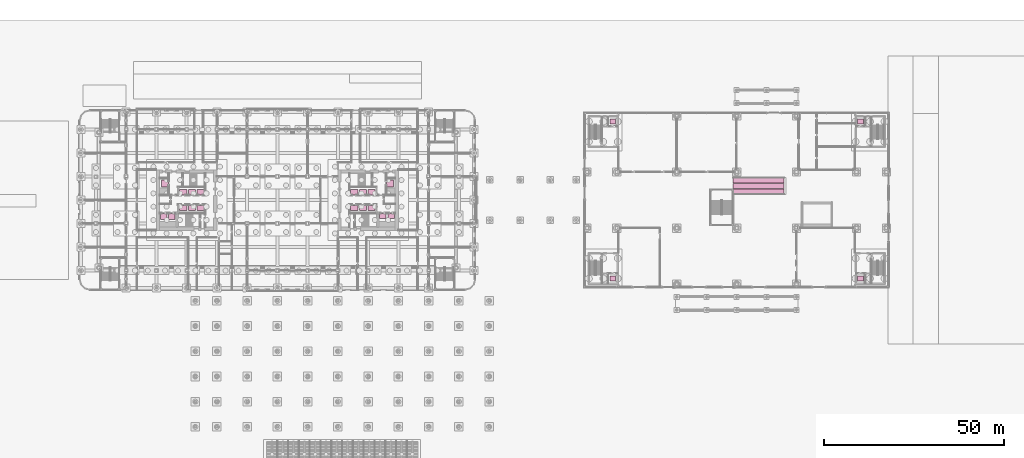
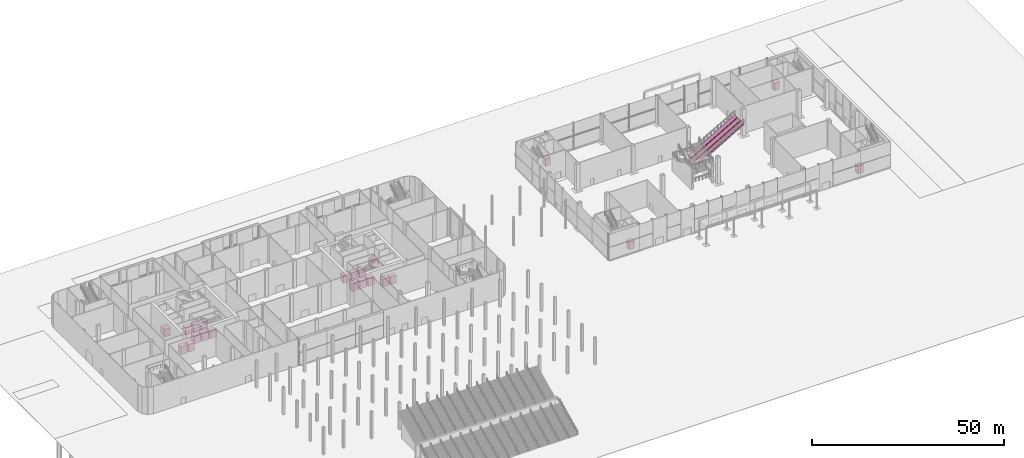
# One storey, part 113 of 113: 25 transport elements.
"""IFC4 building model written with IfcOpenShell, lengths in metres."""

from ifc_helpers import new_model, si_unit, direction, frame, origin, origin_2d, place, context, subcontext, project, spatial, polyline, rectangle, outline, extrude, material, type_object, element, save


model = new_model("IFC4")

# Units and contexts
model_context = context("Model", 3, precision=1e-05, world=origin(), true_north=direction((0.0, 1.0)))
body_context = subcontext(model_context, "Body", "Model", "MODEL_VIEW")
ifc_project = project(units=[si_unit("LENGTHUNIT", "METRE"), si_unit("AREAUNIT", "SQUARE_METRE"), si_unit("VOLUMEUNIT", "CUBIC_METRE"), si_unit("PLANEANGLEUNIT", "RADIAN"), si_unit("MASSUNIT", "GRAM", prefix="KILO")], contexts=[model_context])

# Site, building, storey
site_placement = place(None, origin())
site = spatial("IfcSite", under=ifc_project, at=site_placement, CompositionType="ELEMENT")
building_placement = place(site_placement, origin())
building = spatial("IfcBuilding", under=site, at=building_placement, Name="Hakoniwa Tower and Hamabe Station Hall", CompositionType="ELEMENT")
storey_placement = place(building_placement, origin())
storey = spatial("IfcBuildingStorey", under=building, at=storey_placement, Name="L01", CompositionType="ELEMENT", Elevation=0.0)

# Transport elements
ifc_material_1 = material(Name="Stainless steel and glass", Category="steel")
transport_element_type_1 = type_object("IfcTransportElementType", Name="ESCALATOR 1000 30DEG", PredefinedType="ESCALATOR", material=ifc_material_1)
transport_element_1_placement = place(storey_placement, frame((126.550048828125, 1.60009765625, 0.5), z_axis=(-0.500001950167, 0.0, 0.866024277852), x_axis=(0.866024277852, 0.0, 0.500001950167)))
element("IfcTransportElement", 1, at=transport_element_1_placement, inside=storey, type_object=transport_element_type_1, Name="Escalator ESC-A1 L01-L02 up", PredefinedType="ESCALATOR", context=body_context, shape_type="SweptSolid", body=[
    extrude(outline(polyline([(0.0, 0.0), (16.30706530324224, 0.0), (16.30706530324224, 1.39990234375), (0.0, 1.39990234375), (0.0, 0.0)])), origin(), (0.0, 0.0, -1.0), 0.5),
])
transport_element_2_placement = place(storey_placement, frame((126.550048828125, 3.199951171875, 0.5), z_axis=(-0.500001950167, 0.0, 0.866024277852), x_axis=(0.866024277852, 0.0, 0.500001950167)))
element("IfcTransportElement", 2, at=transport_element_2_placement, inside=storey, type_object=transport_element_type_1, Name="Escalator ESC-A2 L01-L02 down", PredefinedType="ESCALATOR", context=body_context, shape_type="SweptSolid", body=[
    extrude(outline(polyline([(0.0, 0.0), (16.30706530324224, 0.0), (16.30706530324224, 1.400146484375), (0.0, 1.400146484375), (0.0, 0.0)])), origin(), (0.0, 0.0, -1.0), 0.5),
])
transport_element_3_placement = place(storey_placement, frame((126.550048828125, 4.800048828125, 0.5), z_axis=(-0.500001950167, 0.0, 0.866024277852), x_axis=(0.866024277852, 0.0, 0.500001950167)))
element("IfcTransportElement", 3, at=transport_element_3_placement, inside=storey, type_object=transport_element_type_1, Name="Escalator ESC-A3 L01-L02 up", PredefinedType="ESCALATOR", context=body_context, shape_type="SweptSolid", body=[
    extrude(outline(polyline([(0.0, 0.0), (16.30706530324224, 0.0), (16.30706530324224, 1.39990234375), (0.0, 1.39990234375), (0.0, 0.0)])), origin(), (0.0, 0.0, -1.0), 0.5),
])
ifc_material_2 = material(Name="Stainless steel SUS304", Category="steel")
transport_element_type_2 = type_object("IfcTransportElementType", Name="LIFT FIRE-FIGHTING 2000x1900", PredefinedType="ELEVATOR", material=ifc_material_2)
for number, where, z_axis, x_axis, name in (
    (4, (-31.25, 4.625, 0.0), (0.0, 0.0, 1.0), (1.0, 0.0, 0.0), "Lift FF1"),
    (5, (31.25, 4.625, 0.0), (0.0, 0.0, 1.0), (1.0, 0.0, 0.0), "Lift FF2"),
):
    element("IfcTransportElement", number, at=place(storey_placement, frame(where, z_axis=z_axis, x_axis=x_axis)), inside=storey, type_object=transport_element_type_2, Name=name, PredefinedType="ELEVATOR", context=body_context, shape_type="SweptSolid", body=[
        extrude(rectangle(XDim=1.89990234375, YDim=2.0, at=origin_2d()), origin(), (0.0, 0.0, 1.0), 2.39990234375),
    ])
ifc_material_3 = material(Name="Stainless steel SUS304", Category="steel")
transport_element_type_3 = type_object("IfcTransportElementType", Name="LIFT HIGH-RISE 2000x1500", PredefinedType="ELEVATOR", material=ifc_material_3)
for number, where, z_axis, x_axis, name in (
    (6, (-21.35009765625, -2.199951171875, 0.0), (0.0, 0.0, 1.0), (1.0, 0.0, 0.0), "Lift HR1"),
    (7, (-23.75, -2.199951171875, 0.0), (0.0, 0.0, 1.0), (1.0, 0.0, 0.0), "Lift HR2"),
    (8, (-26.14990234375, -2.199951171875, 0.0), (0.0, 0.0, 1.0), (1.0, 0.0, 0.0), "Lift HR3"),
    (9, (21.35009765625, -2.199951171875, 0.0), (0.0, 0.0, 1.0), (1.0, 0.0, 0.0), "Lift HR4"),
    (10, (23.75, -2.199951171875, 0.0), (0.0, 0.0, 1.0), (1.0, 0.0, 0.0), "Lift HR5"),
    (11, (26.14990234375, -2.199951171875, 0.0), (0.0, 0.0, 1.0), (1.0, 0.0, 0.0), "Lift HR6"),
):
    element("IfcTransportElement", number, at=place(storey_placement, frame(where, z_axis=z_axis, x_axis=x_axis)), inside=storey, type_object=transport_element_type_3, Name=name, PredefinedType="ELEVATOR", context=body_context, shape_type="SweptSolid", body=[
        extrude(rectangle(XDim=2.0, YDim=1.5, at=origin_2d()), origin(), (0.0, 0.0, 1.0), 2.39990234375),
    ])
ifc_material_4 = material(Name="Stainless steel SUS304", Category="steel")
transport_element_type_4 = type_object("IfcTransportElementType", Name="LIFT LOW-RISE 2000x1500", PredefinedType="ELEVATOR", material=ifc_material_4)
for number, where, z_axis, x_axis, name in (
    (12, (-21.35009765625, 2.199951171875, 0.0), (0.0, 0.0, 1.0), (1.0, 0.0, 0.0), "Lift LR1"),
    (13, (-23.75, 2.199951171875, 0.0), (0.0, 0.0, 1.0), (1.0, 0.0, 0.0), "Lift LR2"),
    (14, (-26.14990234375, 2.199951171875, 0.0), (0.0, 0.0, 1.0), (1.0, 0.0, 0.0), "Lift LR3"),
    (15, (21.35009765625, 2.199951171875, 0.0), (0.0, 0.0, 1.0), (1.0, 0.0, 0.0), "Lift LR4"),
    (16, (23.75, 2.199951171875, 0.0), (0.0, 0.0, 1.0), (1.0, 0.0, 0.0), "Lift LR5"),
    (17, (26.14990234375, 2.199951171875, 0.0), (0.0, 0.0, 1.0), (1.0, 0.0, 0.0), "Lift LR6"),
):
    element("IfcTransportElement", number, at=place(storey_placement, frame(where, z_axis=z_axis, x_axis=x_axis)), inside=storey, type_object=transport_element_type_4, Name=name, PredefinedType="ELEVATOR", context=body_context, shape_type="SweptSolid", body=[
        extrude(rectangle(XDim=2.0, YDim=1.5, at=origin_2d()), origin(), (0.0, 0.0, 1.0), 2.39990234375),
    ])
ifc_material_5 = material(Name="Stainless steel SUS304", Category="steel")
transport_element_type_5 = type_object("IfcTransportElementType", Name="LIFT OBSERVATION 1800x1400", PredefinedType="ELEVATOR", material=ifc_material_5)
for number, where, z_axis, x_axis, name in (
    (18, (29.300048828125, -4.449951171875, 0.0), (0.0, 0.0, 1.0), (1.0, 0.0, 0.0), "Lift OB1"),
    (19, (31.550048828125, -4.449951171875, 0.0), (0.0, 0.0, 1.0), (1.0, 0.0, 0.0), "Lift OB2"),
):
    element("IfcTransportElement", number, at=place(storey_placement, frame(where, z_axis=z_axis, x_axis=x_axis)), inside=storey, type_object=transport_element_type_5, Name=name, PredefinedType="ELEVATOR", context=body_context, shape_type="SweptSolid", body=[
        extrude(rectangle(XDim=1.800048828125, YDim=1.39990234375, at=origin_2d()), origin(), (0.0, 0.0, 1.0), 2.39990234375),
    ])
ifc_material_6 = material(Name="Stainless steel SUS304", Category="steel")
transport_element_type_6 = type_object("IfcTransportElementType", Name="LIFT SERVICE 1800x1700", PredefinedType="ELEVATOR", material=ifc_material_6)
for number, where, z_axis, x_axis, name in (
    (20, (-29.300048828125, -4.60009765625, 0.0), (0.0, 0.0, 1.0), (1.0, 0.0, 0.0), "Lift SV1"),
    (21, (-31.550048828125, -4.60009765625, 0.0), (0.0, 0.0, 1.0), (1.0, 0.0, 0.0), "Lift SV2"),
):
    element("IfcTransportElement", number, at=place(storey_placement, frame(where, z_axis=z_axis, x_axis=x_axis)), inside=storey, type_object=transport_element_type_6, Name=name, PredefinedType="ELEVATOR", context=body_context, shape_type="SweptSolid", body=[
        extrude(rectangle(XDim=1.800048828125, YDim=1.699951171875, at=origin_2d()), origin(), (0.0, 0.0, 1.0), 2.39990234375),
    ])
ifc_material_7 = material(Name="Stainless steel SUS304", Category="steel")
transport_element_type_7 = type_object("IfcTransportElementType", Name="STATION LIFT BARRIER-FREE 1600X1500", PredefinedType="ELEVATOR", material=ifc_material_7)
for number, where, name in (
    (22, (93.14990234375, 21.800048828125, 0.0), "Lift SL1"),
    (23, (161.949951171875, 21.800048828125, 0.0), "Lift SL2"),
    (24, (93.14990234375, -21.800048828125, 0.0), "Lift SL3"),
    (25, (161.949951171875, -21.800048828125, 0.0), "Lift SL4"),
):
    element("IfcTransportElement", number, at=place(storey_placement, frame(where)), inside=storey, type_object=transport_element_type_7, Name=name, PredefinedType="ELEVATOR", context=body_context, shape_type="SweptSolid", body=[
        extrude(rectangle(XDim=1.60009765625, YDim=1.5, at=origin_2d()), origin(), (0.0, 0.0, 1.0), 2.39990234375),
    ])

save(model, "model.ifc")
